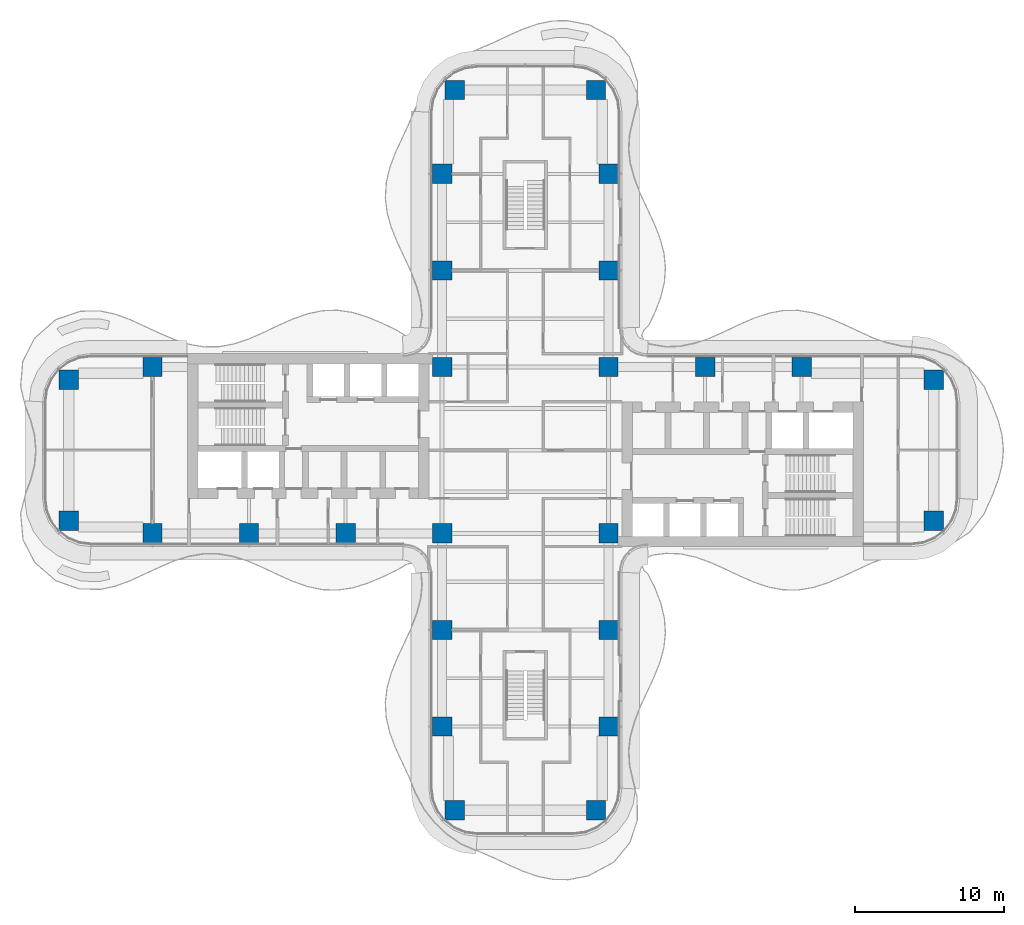
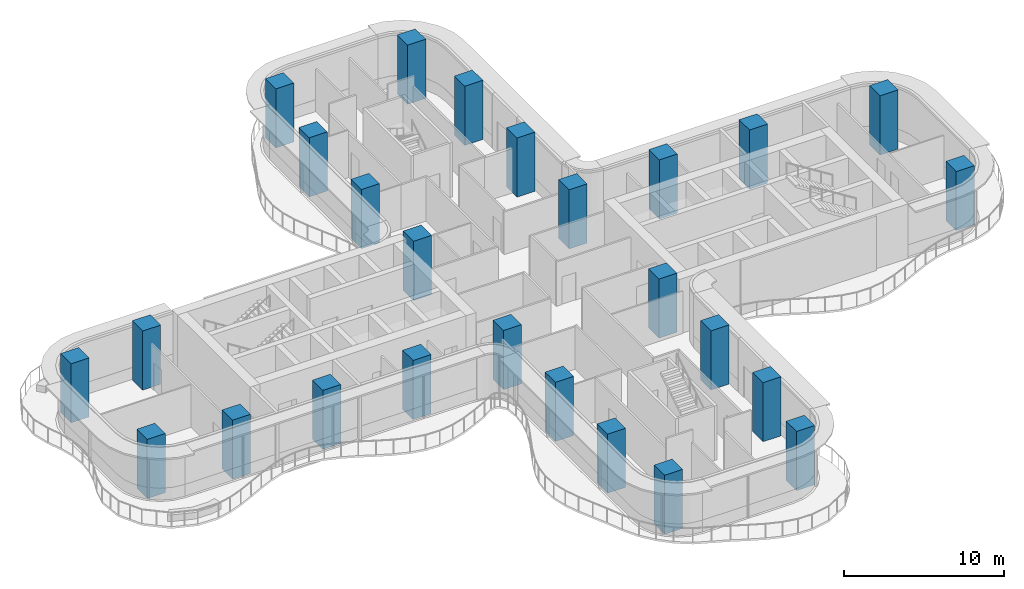
# One storey, part 1 of 20: 26 columns.
"""IFC4 building model written with IfcOpenShell, lengths in metres."""

import ifcopenshell
import ifcopenshell.guid

model = None  # the IFC model being written
_history = None  # IfcOwnerHistory: only IFC2X3 demands one
_inside = {}  # id of a spatial element -> (the spatial element, [elements in it])
_under = {}  # id of a project, library or spatial element -> (it, [spatial elements below it])
_declared = {}  # id of a project -> (the project, [libraries it declares])
_typed = {}  # id of a type object -> (the type object, [elements of that type])
_made_of = {}  # id of a material, layer set ... -> (it, [elements and type objects made of it])


def new_model(schema):
    """Start an empty IFC model of exactly this schema.

    Asked for "IFC4X3", IfcOpenShell would pick the latest addendum, in which some entities
    have other attributes; the version numbers below select the first issue.
    IFC2X3 requires an IfcOwnerHistory on every rooted entity: one is made here for all.
    """
    global model, _history
    if schema == "IFC4X3":
        model = ifcopenshell.file(schema_version=(4, 3, 0, 0))
    else:
        model = ifcopenshell.file(schema=schema)
    _inside.clear()
    _under.clear()
    _declared.clear()
    _typed.clear()
    _made_of.clear()
    _history = None
    if model.schema == "IFC2X3":
        org = make("IfcOrganization", Name="unknown")
        user = make(
            "IfcPersonAndOrganization",
            ThePerson=make("IfcPerson", FamilyName="unknown"),
            TheOrganization=org,
        )
        app = make(
            "IfcApplication",
            ApplicationDeveloper=org,
            Version="unknown",
            ApplicationFullName="unknown",
            ApplicationIdentifier="unknown",
        )
        _history = make(
            "IfcOwnerHistory",
            OwningUser=user,
            OwningApplication=app,
            ChangeAction="ADDED",
            CreationDate=0,
        )
    return model


def make(cls, **values):
    """One entity of the class cls with the attributes given. An attribute that is None is left unset."""
    return model.create_entity(
        cls, **{name: value for name, value in values.items() if value is not None}
    )


def rooted(cls, **values):
    """An entity with a GlobalId (a new one), such as an element, a storey or a relation."""
    return make(cls, GlobalId=ifcopenshell.guid.new(), OwnerHistory=_history, **values)


def si_unit(unit_type, name, prefix=None):
    """IfcSIUnit, for example si_unit("LENGTHUNIT", "METRE", prefix="MILLI")."""
    return make("IfcSIUnit", UnitType=unit_type, Prefix=prefix, Name=name)


def assignment(units):
    """IfcUnitAssignment: the units of a project."""
    return None if units is None else make("IfcUnitAssignment", Units=units)


def point(xyz):
    """IfcCartesianPoint."""
    return None if xyz is None else make("IfcCartesianPoint", Coordinates=xyz)


def direction(xyz):
    """IfcDirection."""
    return None if xyz is None else make("IfcDirection", DirectionRatios=xyz)


def frame(location, z_axis=None, x_axis=None):
    """IfcAxis2Placement3D, a coordinate frame: its origin and axes. An axis left out is left unset."""
    return make(
        "IfcAxis2Placement3D",
        Location=point(location),
        Axis=direction(z_axis),
        RefDirection=direction(x_axis),
    )


def frame_2d(location, x_axis=None):
    """IfcAxis2Placement2D, a coordinate frame in the plane: its origin and x axis."""
    return make(
        "IfcAxis2Placement2D", Location=point(location), RefDirection=direction(x_axis)
    )


def origin():
    """The frame at (0, 0, 0) with its axes left unset."""
    return frame((0.0, 0.0, 0.0))


def origin_2d():
    """The frame at (0, 0) in the plane with its x axis left unset."""
    return frame_2d((0.0, 0.0))


def place(relative_to, where):
    """IfcLocalPlacement: puts the frame where relative to a parent placement (None: the world)."""
    return make(
        "IfcLocalPlacement", PlacementRelTo=relative_to, RelativePlacement=where
    )


def context(
    kind, dimensions, precision=None, world=None, true_north=None, identifier=None
):
    """IfcGeometricRepresentationContext, for example the 3D "Model" context."""
    return make(
        "IfcGeometricRepresentationContext",
        ContextIdentifier=identifier,
        ContextType=kind,
        CoordinateSpaceDimension=dimensions,
        Precision=precision,
        WorldCoordinateSystem=world,
        TrueNorth=true_north,
    )


def subcontext(parent, identifier, kind, view, scale=None):
    """IfcGeometricRepresentationSubContext, for example "Body" below "Model"."""
    return make(
        "IfcGeometricRepresentationSubContext",
        ContextIdentifier=identifier,
        ContextType=kind,
        ParentContext=parent,
        TargetScale=scale,
        TargetView=view,
    )


def project(units=None, contexts=None):
    """IfcProject with its units and contexts."""
    return rooted(
        "IfcProject",
        Name="project",
        RepresentationContexts=contexts,
        UnitsInContext=assignment(units),
    )


def spatial(cls, under=None, at=None, **own):
    """A site, building, storey or space (cls), placed at a placement, below another one or the project."""
    s = rooted(cls, ObjectPlacement=at, **own)
    if under is not None:
        _under.setdefault(under.id(), (under, []))[1].append(s)
    return s


def profile(cls, at=None, kind="AREA", **sizes):
    """A parametric profile (cls). Its sizes go by their IFC names, for example OverallWidth=200.0."""
    return make(cls, ProfileType=kind, Position=at, **sizes)


def rectangle(**sizes):
    """IfcRectangleProfileDef."""
    return profile("IfcRectangleProfileDef", **sizes)


def extrude(swept, where, along, depth):
    """IfcExtrudedAreaSolid: the profile swept, set in the frame where, extruded along a direction by depth."""
    return make(
        "IfcExtrudedAreaSolid",
        SweptArea=swept,
        Position=where,
        ExtrudedDirection=direction(along),
        Depth=depth,
    )


def shape(context_of_items, identifier, shape_type, items):
    """IfcShapeRepresentation: the items that make up one representation, for example the "Body"."""
    return make(
        "IfcShapeRepresentation",
        ContextOfItems=context_of_items,
        RepresentationIdentifier=identifier,
        RepresentationType=shape_type,
        Items=items,
    )


def source(mapping_origin, context_of_items, identifier, shape_type, items):
    """IfcRepresentationMap: a shape defined once, which mapped items show again and again."""
    return make(
        "IfcRepresentationMap",
        MappingOrigin=mapping_origin,
        MappedRepresentation=shape(context_of_items, identifier, shape_type, items),
    )


def transform(
    local_origin,
    x_axis=None,
    y_axis=None,
    z_axis=None,
    scale=None,
    scale2=None,
    scale3=None,
    uniform=True,
):
    """IfcCartesianTransformationOperator3D, or its non-uniform kind. x_axis, y_axis, z_axis: its Axis1, 2, 3."""
    if uniform:
        return make(
            "IfcCartesianTransformationOperator3D",
            Axis1=direction(x_axis),
            Axis2=direction(y_axis),
            LocalOrigin=point(local_origin),
            Scale=scale,
            Axis3=direction(z_axis),
        )
    return make(
        "IfcCartesianTransformationOperator3DnonUniform",
        Axis1=direction(x_axis),
        Axis2=direction(y_axis),
        LocalOrigin=point(local_origin),
        Scale=scale,
        Axis3=direction(z_axis),
        Scale2=scale2,
        Scale3=scale3,
    )


def mapped(mapping_source, mapping_target):
    """IfcMappedItem: shows the shape of a source again, moved by a transform."""
    return make(
        "IfcMappedItem", MappingSource=mapping_source, MappingTarget=mapping_target
    )


def material(Name=None, Category=None):
    """IfcMaterial."""
    return make("IfcMaterial", Name=Name, Category=Category)


def material_profile(
    of_material, cross_section, Name=None, Category=None, Priority=None
):
    """IfcMaterialProfile: a cross section and its material."""
    return make(
        "IfcMaterialProfile",
        Name=Name,
        Material=of_material,
        Profile=cross_section,
        Priority=Priority,
        Category=Category,
    )


def profile_set(profiles, Name=None, composite=None):
    """IfcMaterialProfileSet."""
    return make(
        "IfcMaterialProfileSet",
        Name=Name,
        MaterialProfiles=profiles,
        CompositeProfile=composite,
    )


def made_of(thing, what):
    """Note that an element or type object is made of a material, layer set ...; save() writes the relation."""
    if what is not None:
        _made_of.setdefault(what.id(), (what, []))[1].append(thing)
    return thing


def type_object(cls, material=None, **own):
    """A type object (cls), such as IfcWallType, which elements share."""
    return made_of(rooted(cls, **own), material)


def element(
    cls,
    number,
    at=None,
    inside=None,
    cuts=None,
    type_object=None,
    material=None,
    context=None,
    identifier="Body",
    shape_type=None,
    held_by="IfcProductDefinitionShape",
    body=None,
    shapes=None,
    **own,
):
    """One element of the class cls, such as IfcWall. Its Tag is "e" and its number.

    at: its placement. inside: the storey or other place that contains it. cuts: it is an
    opening in that element (IfcRelVoidsElement). A single representation is given by context,
    identifier, shape_type and body (its items); several are given by shapes. held_by: the class
    of the entity that holds the representations. save() writes the other relations.
    """
    e = rooted(cls, Tag="e%d" % number, ObjectPlacement=at, **own)
    if body is not None:
        shapes = [shape(context, identifier, shape_type, body)]
    if shapes is not None:
        e.Representation = make(held_by, Representations=shapes)
    if inside is not None:
        _inside.setdefault(inside.id(), (inside, []))[1].append(e)
    if cuts is not None:
        rooted(
            "IfcRelVoidsElement", RelatingBuildingElement=cuts, RelatedOpeningElement=e
        )
    if type_object is not None:
        _typed.setdefault(type_object.id(), (type_object, []))[1].append(e)
    return made_of(e, material)


def aggregate(whole, parts):
    """IfcRelAggregates: a whole, such as a stair, and the parts it consists of."""
    return rooted("IfcRelAggregates", RelatingObject=whole, RelatedObjects=parts)


def save(model, path):
    """Write the relations noted so far, then the file.

    IfcRelAggregates (storeys below a building ...), IfcRelContainedInSpatialStructure (elements
    in a storey), IfcRelDefinesByType, IfcRelAssociatesMaterial and IfcRelDeclares: one each for
    every whole, place, type object, material and project.
    """
    for whole, parts in _under.values():
        aggregate(whole, parts)
    for where, things in _inside.values():
        rooted(
            "IfcRelContainedInSpatialStructure",
            RelatedElements=things,
            RelatingStructure=where,
        )
    for kind, things in _typed.values():
        rooted("IfcRelDefinesByType", RelatedObjects=things, RelatingType=kind)
    for what, things in _made_of.values():
        rooted("IfcRelAssociatesMaterial", RelatedObjects=things, RelatingMaterial=what)
    for by, libraries in _declared.values():
        rooted("IfcRelDeclares", RelatingContext=by, RelatedDefinitions=libraries)
    model.write(path)


model = new_model("IFC4")

# Units and contexts
model_context = context("Model", 3, precision=1e-05, world=origin(), true_north=direction((0.0, 1.0)))
body_context = subcontext(model_context, "Body", "Model", "MODEL_VIEW")
ifc_project = project(units=[si_unit("LENGTHUNIT", "METRE"), si_unit("AREAUNIT", "SQUARE_METRE"), si_unit("VOLUMEUNIT", "CUBIC_METRE"), si_unit("PLANEANGLEUNIT", "RADIAN"), si_unit("MASSUNIT", "GRAM", prefix="KILO")], contexts=[model_context])

# Site, building, storey
site_placement = place(None, origin())
site = spatial("IfcSite", under=ifc_project, at=site_placement, CompositionType="ELEMENT")
building_placement = place(site_placement, origin())
building = spatial("IfcBuilding", under=site, at=building_placement, Name="Trellis Farm Tower", CompositionType="ELEMENT")
storey_placement = place(building_placement, frame((0.0, 0.0, 151.5)))
storey = spatial("IfcBuildingStorey", under=building, at=storey_placement, Name="L32", CompositionType="ELEMENT", Elevation=151.5)

# Columns
ifc_material = material(Name="Concrete C80/95", Category="concrete")
ifc_material_profile = material_profile(ifc_material, rectangle(XDim=1.300048828125, YDim=1.300048828125, at=origin_2d()), Name="RC column 1300x1300 C80/95")
ifc_profile_set = profile_set([ifc_material_profile], Name="Concrete C80/95")
column_type = type_object("IfcColumnType", Name="RC column 1300x1300 C80/95", PredefinedType="COLUMN", material=ifc_profile_set)
shared_shape = source(origin(), body_context, "Body", "SweptSolid", [
    extrude(rectangle(XDim=1.300048828125, YDim=1.300048828125, at=origin_2d()), origin(), (0.0, 0.0, 1.0), 4.5),
])
for number, where, z_axis, x_axis, name in (
    (1, (12.10009765625, 5.60009765625, 0.0), (0.0, 0.0, 1.0), (1.0, 0.0, 0.0), "Column"),
    (2, (18.60009765625, 5.60009765625, 0.0), (0.0, 0.0, 1.0), (1.0, 0.0, 0.0), "Column"),
    (3, (27.5, 4.75, 0.0), (0.0, 0.0, 1.0), (1.0, 0.0, 0.0), "Column"),
    (4, (27.5, -4.75, 0.0), (0.0, 0.0, 1.0), (1.0, 0.0, 0.0), "Column"),
    (5, (-5.60009765625, 12.10009765625, 0.0), (0.0, 0.0, 1.0), (1.0, 0.0, 0.0), "Column"),
    (6, (-5.60009765625, 18.60009765625, 0.0), (0.0, 0.0, 1.0), (1.0, 0.0, 0.0), "Column"),
    (7, (-4.75, 24.25, 0.0), (0.0, 0.0, 1.0), (1.0, 0.0, 0.0), "Column"),
    (8, (5.60009765625, 12.10009765625, 0.0), (0.0, 0.0, 1.0), (1.0, 0.0, 0.0), "Column"),
    (9, (5.60009765625, 18.60009765625, 0.0), (0.0, 0.0, 1.0), (1.0, 0.0, 0.0), "Column"),
    (10, (4.75, 24.25, 0.0), (0.0, 0.0, 1.0), (1.0, 0.0, 0.0), "Column"),
    (11, (5.60009765625, 5.60009765625, 0.0), (0.0, 0.0, 1.0), (1.0, 0.0, 0.0), "Column"),
    (12, (-5.60009765625, 5.60009765625, 0.0), (0.0, 0.0, 1.0), (1.0, 0.0, 0.0), "Column"),
    (13, (5.60009765625, -5.60009765625, 0.0), (0.0, 0.0, 1.0), (1.0, 0.0, 0.0), "Column"),
    (14, (-5.60009765625, -5.60009765625, 0.0), (0.0, 0.0, 1.0), (1.0, 0.0, 0.0), "Column"),
    (15, (5.60009765625, -12.10009765625, 0.0), (0.0, 0.0, 1.0), (1.0, 0.0, 0.0), "Column"),
    (16, (5.60009765625, -18.60009765625, 0.0), (0.0, 0.0, 1.0), (1.0, 0.0, 0.0), "Column"),
    (17, (4.75, -24.25, 0.0), (0.0, 0.0, 1.0), (1.0, 0.0, 0.0), "Column"),
    (18, (-5.60009765625, -12.10009765625, 0.0), (0.0, 0.0, 1.0), (1.0, 0.0, 0.0), "Column"),
    (19, (-5.60009765625, -18.60009765625, 0.0), (0.0, 0.0, 1.0), (1.0, 0.0, 0.0), "Column"),
    (20, (-4.75, -24.25, 0.0), (0.0, 0.0, 1.0), (1.0, 0.0, 0.0), "Column"),
    (21, (-12.10009765625, -5.60009765625, 0.0), (0.0, 0.0, 1.0), (1.0, 0.0, 0.0), "Column"),
    (22, (-18.60009765625, -5.60009765625, 0.0), (0.0, 0.0, 1.0), (1.0, 0.0, 0.0), "Column"),
    (23, (-25.10009765625, -5.60009765625, 0.0), (0.0, 0.0, 1.0), (1.0, 0.0, 0.0), "Column"),
    (24, (-30.75, -4.75, 0.0), (0.0, 0.0, 1.0), (1.0, 0.0, 0.0), "Column"),
    (25, (-25.10009765625, 5.60009765625, 0.0), (0.0, 0.0, 1.0), (1.0, 0.0, 0.0), "Column"),
    (26, (-30.75, 4.75, 0.0), (0.0, 0.0, 1.0), (1.0, 0.0, 0.0), "Column"),
):
    element("IfcColumn", number, at=place(storey_placement, frame(where, z_axis=z_axis, x_axis=x_axis)), inside=storey, type_object=column_type, Name=name, PredefinedType="COLUMN", context=body_context, shape_type="MappedRepresentation", body=[
        mapped(shared_shape, transform((0.0, 0.0, 0.0))),
    ])

save(model, "model.ifc")
